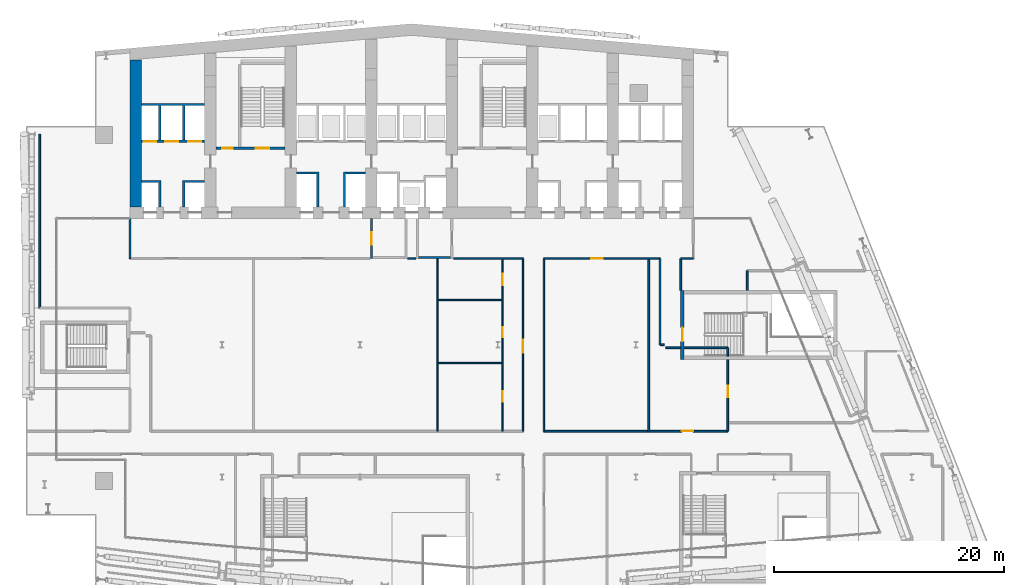
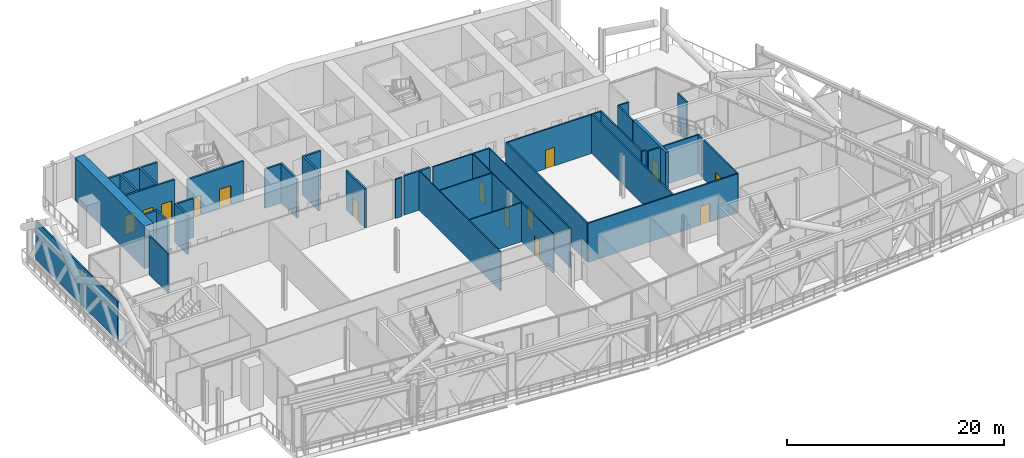
# One storey, part 19 of 42: 33 walls, 14 doors, 14 openings.
"""IFC4 building model written with IfcOpenShell, lengths in metres."""

from ifc_helpers import new_model, si_unit, direction, frame, frame_2d, origin, place, context, subcontext, project, spatial, polyline, rectangle, outline, extrude, material, layer, layer_set, type_object, element, fill, save


model = new_model("IFC4")

# Units and contexts
model_context = context("Model", 3, precision=1e-05, world=origin(), true_north=direction((0.0, 1.0)))
body_context = subcontext(model_context, "Body", "Model", "MODEL_VIEW")
ifc_project = project(units=[si_unit("LENGTHUNIT", "METRE"), si_unit("AREAUNIT", "SQUARE_METRE"), si_unit("VOLUMEUNIT", "CUBIC_METRE"), si_unit("PLANEANGLEUNIT", "RADIAN"), si_unit("MASSUNIT", "GRAM", prefix="KILO")], contexts=[model_context])

# Site, building, storey
site_placement = place(None, origin())
site = spatial("IfcSite", under=ifc_project, at=site_placement, CompositionType="ELEMENT")
building_placement = place(site_placement, origin())
building = spatial("IfcBuilding", under=site, at=building_placement, Name="Wharfspan Tower", CompositionType="ELEMENT")
storey_placement = place(building_placement, frame((0.0, 0.0, 147.100098)))
storey = spatial("IfcBuildingStorey", under=building, at=storey_placement, Name="L35", CompositionType="ELEMENT", Elevation=147.100098)

# Wall
ifc_material_1 = material(Name="Gypsum board on steel studs", Category="steel")
ifc_layer_1 = layer(ifc_material_1, 0.100098)
ifc_layer_set_1 = layer_set([ifc_layer_1], Name="Gypsum board on steel studs")
wall_type_1 = type_object("IfcWallType", Name="Compartment wall 100 EI 60", PredefinedType="PARTITIONING", material=ifc_layer_set_1)
wall_1_placement = place(storey_placement, frame((42.75, 15.48999, 0.0), z_axis=(0.0, 0.0, 1.0), x_axis=(0.0, 1.0, 0.0)))
element("IfcWall", 1, at=wall_1_placement, inside=storey, type_object=wall_type_1, Name="Partition L35.w034", PredefinedType="PARTITIONING", context=body_context, shape_type="SweptSolid", body=[
    extrude(rectangle(XDim=15.01001, YDim=0.100098, at=frame_2d((7.504883, 0.0))), origin(), (0.0, 0.0, 1.0), 4.399902),
])

# Wall, openings, doors
wall_2_placement = place(storey_placement, frame((48.399902, 15.5, 0.0), z_axis=(0.0, 0.0, 1.0), x_axis=(0.0, 1.0, 0.0)))
wall_2 = element("IfcWall", 2, at=wall_2_placement, inside=storey, type_object=wall_type_1, Name="Partition L35.w040", PredefinedType="PARTITIONING", context=body_context, shape_type="SweptSolid", body=[
    extrude(rectangle(XDim=14.98999, YDim=0.100098, at=frame_2d((7.495117, 0.0))), origin(), (0.0, 0.0, 1.0), 4.399902),
])
opening_1_placement = place(wall_2_placement, frame((2.551025, 0.0, 0.0)))
opening_1 = element("IfcOpeningElement", 3, at=opening_1_placement, cuts=wall_2, Name="Opening BB-12", PredefinedType="OPENING", context=body_context, shape_type="SweptSolid", body=[
    extrude(rectangle(XDim=0.899902, YDim=2.100098, at=frame_2d((0.449951, 1.050049))), frame((0.0, 0.060059, 0.0), z_axis=(0.0, -1.0, 0.0), x_axis=(1.0, 0.0, 0.0)), (0.0, 0.0, 1.0), 0.120117),
])
opening_2_placement = place(wall_2_placement, frame((8.149902, 0.0, 0.0)))
opening_2 = element("IfcOpeningElement", 4, at=opening_2_placement, cuts=wall_2, Name="Opening BB-15", PredefinedType="OPENING", context=body_context, shape_type="SweptSolid", body=[
    extrude(rectangle(XDim=0.899902, YDim=2.100098, at=frame_2d((0.449951, 1.050049))), frame((0.0, 0.060059, 0.0), z_axis=(0.0, -1.0, 0.0), x_axis=(1.0, 0.0, 0.0)), (0.0, 0.0, 1.0), 0.120117),
])
opening_3_placement = place(wall_2_placement, frame((12.699951, 0.0, 0.0)))
opening_3 = element("IfcOpeningElement", 5, at=opening_3_placement, cuts=wall_2, Name="Opening BB-16", PredefinedType="OPENING", context=body_context, shape_type="SweptSolid", body=[
    extrude(rectangle(XDim=1.0, YDim=2.100098, at=frame_2d((0.5, 1.050049))), frame((0.0, 0.060059, 0.0), z_axis=(0.0, -1.0, 0.0), x_axis=(1.0, 0.0, 0.0)), (0.0, 0.0, 1.0), 0.120117),
])
ifc_material_2 = material(Name="Timber door leaf in steel frame", Category="steel")
door_type_1 = type_object("IfcDoorType", Name="Door 1000 NOT RATED Right", OperationType="SINGLE_SWING_RIGHT", PredefinedType="DOOR", material=ifc_material_2)
door_1_placement = place(opening_3_placement, origin())
door_1 = element("IfcDoor", 6, at=door_1_placement, inside=storey, type_object=door_type_1, Name="Door BB-16", OperationType="SINGLE_SWING_RIGHT", OverallHeight=2.100098, OverallWidth=1.0, PredefinedType="DOOR", context=body_context, shape_type="SweptSolid", body=[
    extrude(rectangle(XDim=1.0, YDim=2.100098, at=frame_2d((0.5, 1.050049))), frame((0.0, 0.024902, 0.0), z_axis=(0.0, -1.0, 0.0), x_axis=(1.0, 0.0, 0.0)), (0.0, 0.0, 1.0), 0.050049),
])
fill(opening_3, door_1)
door_type_2 = type_object("IfcDoorType", Name="Door 900 NOT RATED Left", OperationType="SINGLE_SWING_LEFT", PredefinedType="DOOR", material=ifc_material_2)
door_2_placement = place(opening_1_placement, origin())
door_2 = element("IfcDoor", 7, at=door_2_placement, inside=storey, type_object=door_type_2, Name="Door BB-12", OperationType="SINGLE_SWING_LEFT", OverallHeight=2.100098, OverallWidth=0.899902, PredefinedType="DOOR", context=body_context, shape_type="SweptSolid", body=[
    extrude(rectangle(XDim=0.899902, YDim=2.100098, at=frame_2d((0.449951, 1.050049))), frame((0.0, 0.024902, 0.0), z_axis=(0.0, -1.0, 0.0), x_axis=(1.0, 0.0, 0.0)), (0.0, 0.0, 1.0), 0.050049),
])
fill(opening_1, door_2)
door_type_3 = type_object("IfcDoorType", Name="Door 900 NOT RATED Right", OperationType="SINGLE_SWING_RIGHT", PredefinedType="DOOR", material=ifc_material_2)
door_3_placement = place(opening_2_placement, origin())
door_3 = element("IfcDoor", 8, at=door_3_placement, inside=storey, type_object=door_type_3, Name="Door BB-15", OperationType="SINGLE_SWING_RIGHT", OverallHeight=2.100098, OverallWidth=0.899902, PredefinedType="DOOR", context=body_context, shape_type="SweptSolid", body=[
    extrude(rectangle(XDim=0.899902, YDim=2.100098, at=frame_2d((0.449951, 1.050049))), frame((0.0, 0.024902, 0.0), z_axis=(0.0, -1.0, 0.0), x_axis=(1.0, 0.0, 0.0)), (0.0, 0.0, 1.0), 0.050049),
])
fill(opening_2, door_3)

# Wall, opening, door
wall_3_placement = place(storey_placement, frame((50.189941, 15.5, 0.0), z_axis=(0.0, 0.0, 1.0), x_axis=(0.0, 1.0, 0.0)))
wall_3 = element("IfcWall", 9, at=wall_3_placement, inside=storey, type_object=wall_type_1, Name="Partition L35.w046", PredefinedType="PARTITIONING", context=body_context, shape_type="SweptSolid", body=[
    extrude(rectangle(XDim=14.98999, YDim=0.100098, at=frame_2d((7.495117, 0.0))), origin(), (0.0, 0.0, 1.0), 4.399902),
])
opening_4_placement = place(wall_3_placement, frame((6.830078, 0.0, 0.0)))
opening_4 = element("IfcOpeningElement", 10, at=opening_4_placement, cuts=wall_3, Name="Opening BB-14", PredefinedType="OPENING", context=body_context, shape_type="SweptSolid", body=[
    extrude(rectangle(XDim=1.100098, YDim=2.100098, at=frame_2d((0.550049, 1.050049))), frame((0.0, 0.060059, 0.0), z_axis=(0.0, -1.0, 0.0), x_axis=(1.0, 0.0, 0.0)), (0.0, 0.0, 1.0), 0.120117),
])
ifc_material_3 = material(Name="Fire-rated timber door leaf in steel frame", Category="steel")
door_type_4 = type_object("IfcDoorType", Name="Door 1100 FD30S Left", OperationType="SINGLE_SWING_LEFT", PredefinedType="DOOR", material=ifc_material_3)
door_4_placement = place(opening_4_placement, origin())
door_4 = element("IfcDoor", 11, at=door_4_placement, inside=storey, type_object=door_type_4, Name="Door BB-14", OperationType="SINGLE_SWING_LEFT", OverallHeight=2.100098, OverallWidth=1.100098, PredefinedType="DOOR", context=body_context, shape_type="SweptSolid", body=[
    extrude(rectangle(XDim=1.100098, YDim=2.100098, at=frame_2d((0.550049, 1.050049))), frame((0.0, 0.024902, 0.0), z_axis=(0.0, -1.0, 0.0), x_axis=(1.0, 0.0, 0.0)), (0.0, 0.0, 1.0), 0.050049),
])
fill(opening_4, door_4)

# Wall
ifc_material_4 = material(Name="Concrete C70/85", Category="concrete")
ifc_layer_2 = layer(ifc_material_4, 1.0)
ifc_layer_set_2 = layer_set([ifc_layer_2], Name="Concrete C70/85")
wall_type_2 = type_object("IfcWallType", Name="Core wall 1000 C70/85", PredefinedType="SHEAR", material=ifc_layer_set_2)
wall_4_placement = place(storey_placement, frame((16.5, 35.0, 0.0), z_axis=(0.0, 0.0, 1.0), x_axis=(0.0, 1.0, 0.0)))
element("IfcWall", 12, at=wall_4_placement, inside=storey, type_object=wall_type_2, Name="Core cross wall EW0 L35", PredefinedType="SHEAR", context=body_context, shape_type="SweptSolid", body=[
    extrude(rectangle(XDim=12.783691, YDim=1.0, at=frame_2d((6.391846, 0.0))), origin(), (0.0, 0.0, 1.0), 4.799805),
])

# Wall, openings, doors
ifc_material_5 = material(Name="Concrete C30/37", Category="concrete")
ifc_layer_3 = layer(ifc_material_5, 0.199951)
ifc_layer_set_3 = layer_set([ifc_layer_3], Name="Concrete C30/37")
wall_type_3 = type_object("IfcWallType", Name="Lift shaft wall 200", PredefinedType="PARTITIONING", material=ifc_layer_set_3)
wall_5_placement = place(storey_placement, frame((17.0, 40.699951, 0.0), z_axis=(0.0, 0.0, 1.0), x_axis=(1.0, 0.0, 0.0)))
wall_5 = element("IfcWall", 13, at=wall_5_placement, inside=storey, type_object=wall_type_3, Name="sw:L35:RF1", PredefinedType="PARTITIONING", context=body_context, shape_type="SweptSolid", body=[
    extrude(rectangle(XDim=5.5, YDim=0.199951, at=frame_2d((2.75, 0.0))), origin(), (0.0, 0.0, 1.0), 4.399902),
])
opening_5_placement = place(wall_5_placement, frame((0.199951, 0.0, 0.0)))
opening_5 = element("IfcOpeningElement", 14, at=opening_5_placement, cuts=wall_5, Name="Opening LD.LA3.L35", PredefinedType="OPENING", context=body_context, shape_type="SweptSolid", body=[
    extrude(rectangle(XDim=1.100098, YDim=2.100098, at=frame_2d((0.550049, 1.050049))), frame((0.0, 0.109863, 0.0), z_axis=(0.0, -1.0, 0.0), x_axis=(1.0, 0.0, 0.0)), (0.0, 0.0, 1.0), 0.219971),
])
opening_6_placement = place(wall_5_placement, frame((2.083252, 0.0, 0.0)))
opening_6 = element("IfcOpeningElement", 15, at=opening_6_placement, cuts=wall_5, Name="Opening LD.LA4.L35", PredefinedType="OPENING", context=body_context, shape_type="SweptSolid", body=[
    extrude(rectangle(XDim=1.100098, YDim=2.100098, at=frame_2d((0.550049, 1.050049))), frame((0.0, 0.109863, 0.0), z_axis=(0.0, -1.0, 0.0), x_axis=(1.0, 0.0, 0.0)), (0.0, 0.0, 1.0), 0.219971),
])
opening_7_placement = place(wall_5_placement, frame((4.083252, 0.0, 0.0)))
opening_7 = element("IfcOpeningElement", 16, at=opening_7_placement, cuts=wall_5, Name="Opening LD.LA5.L35", PredefinedType="OPENING", context=body_context, shape_type="SweptSolid", body=[
    extrude(rectangle(XDim=1.100098, YDim=2.100098, at=frame_2d((0.550049, 1.050049))), frame((0.0, 0.109863, 0.0), z_axis=(0.0, -1.0, 0.0), x_axis=(1.0, 0.0, 0.0)), (0.0, 0.0, 1.0), 0.219971),
])
ifc_material_6 = material(Name="Stainless steel", Category="steel")
door_type_5 = type_object("IfcDoorType", Name="Lift landing door 1100x2100", OperationType="DOUBLE_DOOR_SLIDING", PredefinedType="DOOR", material=ifc_material_6)
door_5_placement = place(opening_5_placement, origin())
door_5 = element("IfcDoor", 17, at=door_5_placement, inside=storey, type_object=door_type_5, Name="Landing door LA3 L35", OperationType="DOUBLE_DOOR_SLIDING", OverallHeight=2.100098, OverallWidth=1.100098, PredefinedType="DOOR", context=body_context, shape_type="SweptSolid", body=[
    extrude(rectangle(XDim=1.100098, YDim=2.100098, at=frame_2d((0.550049, 1.050049))), frame((0.0, 0.024902, 0.0), z_axis=(0.0, -1.0, 0.0), x_axis=(1.0, 0.0, 0.0)), (0.0, 0.0, 1.0), 0.050049),
])
fill(opening_5, door_5)
door_6_placement = place(opening_6_placement, origin())
door_6 = element("IfcDoor", 18, at=door_6_placement, inside=storey, type_object=door_type_5, Name="Landing door LA4 L35", OperationType="DOUBLE_DOOR_SLIDING", OverallHeight=2.100098, OverallWidth=1.100098, PredefinedType="DOOR", context=body_context, shape_type="SweptSolid", body=[
    extrude(rectangle(XDim=1.100098, YDim=2.100098, at=frame_2d((0.550049, 1.050049))), frame((0.0, 0.024902, 0.0), z_axis=(0.0, -1.0, 0.0), x_axis=(1.0, 0.0, 0.0)), (0.0, 0.0, 1.0), 0.050049),
])
fill(opening_6, door_6)
door_7_placement = place(opening_7_placement, origin())
door_7 = element("IfcDoor", 19, at=door_7_placement, inside=storey, type_object=door_type_5, Name="Landing door LA5 L35", OperationType="DOUBLE_DOOR_SLIDING", OverallHeight=2.100098, OverallWidth=1.100098, PredefinedType="DOOR", context=body_context, shape_type="SweptSolid", body=[
    extrude(rectangle(XDim=1.100098, YDim=2.100098, at=frame_2d((0.550049, 1.050049))), frame((0.0, 0.024902, 0.0), z_axis=(0.0, -1.0, 0.0), x_axis=(1.0, 0.0, 0.0)), (0.0, 0.0, 1.0), 0.050049),
])
fill(opening_7, door_7)

# Walls
wall_6_placement = place(storey_placement, frame((0.0, 0.0, -0.000244)))
element("IfcWall", 20, at=wall_6_placement, inside=storey, type_object=wall_type_3, Name="sw:L35:FM1.0", PredefinedType="PARTITIONING", context=body_context, shape_type="SweptSolid", body=[
    extrude(outline(polyline([(18.5, 37.100098), (17.0, 37.100098), (17.0, 37.300049), (18.5, 37.300049), (18.699951, 37.300049), (18.699951, 35.0), (18.5, 35.0), (18.5, 37.100098)])), origin(), (0.0, 0.0, 1.0), 4.400146),
])
wall_7_placement = place(storey_placement, frame((0.0, 0.0, -0.000244)))
element("IfcWall", 21, at=wall_7_placement, inside=storey, type_object=wall_type_3, Name="sw:L35:FM1.1", PredefinedType="PARTITIONING", context=body_context, shape_type="SweptSolid", body=[
    extrude(outline(polyline([(20.56665, 37.300049), (20.766602, 37.300049), (22.5, 37.300049), (22.5, 37.100098), (20.766602, 37.100098), (20.766602, 35.0), (20.56665, 35.0), (20.56665, 37.300049)])), origin(), (0.0, 0.0, 1.0), 4.400146),
])
wall_8_placement = place(storey_placement, frame((0.0, 0.0, -0.000244)))
element("IfcWall", 22, at=wall_8_placement, inside=storey, type_object=wall_type_3, Name="sw:L35:RM1.0", PredefinedType="PARTITIONING", context=body_context, shape_type="SweptSolid", body=[
    extrude(outline(polyline([(18.699951, 40.800049), (18.5, 40.800049), (18.5, 43.800049), (17.0, 43.800049), (17.0, 44.0), (22.5, 44.0), (22.5, 43.800049), (20.766602, 43.800049), (20.766602, 40.800049), (20.56665, 40.800049), (20.56665, 43.800049), (18.699951, 43.800049), (18.699951, 40.800049)])), origin(), (0.0, 0.0, 1.0), 4.400146),
])
wall_9_placement = place(storey_placement, frame((0.0, 0.0, -0.000244)))
element("IfcWall", 23, at=wall_9_placement, inside=storey, type_object=wall_type_3, Name="sw:L35:FM3.0", PredefinedType="PARTITIONING", context=body_context, shape_type="SweptSolid", body=[
    extrude(outline(polyline([(32.233398, 37.850098), (30.5, 37.850098), (30.5, 38.050049), (32.233398, 38.050049), (32.43335, 38.050049), (32.43335, 35.0), (32.233398, 35.0), (32.233398, 37.850098)])), origin(), (0.0, 0.0, 1.0), 4.400146),
])
wall_10_placement = place(storey_placement, frame((0.0, 0.0, -0.000244)))
element("IfcWall", 24, at=wall_10_placement, inside=storey, type_object=wall_type_3, Name="sw:L35:FM3.1", PredefinedType="PARTITIONING", context=body_context, shape_type="SweptSolid", body=[
    extrude(outline(polyline([(34.56665, 38.050049), (34.766602, 38.050049), (36.5, 38.050049), (36.5, 37.850098), (34.766602, 37.850098), (34.766602, 35.0), (34.56665, 35.0), (34.56665, 38.050049)])), origin(), (0.0, 0.0, 1.0), 4.400146),
])

# Wall, opening, door
ifc_layer_4 = layer(ifc_material_5, 0.199951)
ifc_layer_set_4 = layer_set([ifc_layer_4], Name="Concrete C30/37")
wall_type_4 = type_object("IfcWallType", Name="Lobby wall 200", PredefinedType="PARTITIONING", material=ifc_layer_set_4)
wall_11_placement = place(storey_placement, frame((37.0, 30.5, 0.0), z_axis=(0.0, 0.0, 1.0), x_axis=(0.0, 1.0, 0.0)))
wall_11 = element("IfcWall", 25, at=wall_11_placement, inside=storey, type_object=wall_type_4, Name="sw:L35:FLFF1W", PredefinedType="PARTITIONING", context=body_context, shape_type="SweptSolid", body=[
    extrude(rectangle(XDim=3.5, YDim=0.199951, at=frame_2d((1.75, 0.0))), origin(), (0.0, 0.0, 1.0), 4.399902),
])
opening_8_placement = place(wall_11_placement, frame((1.199951, 0.0, 0.0)))
opening_8 = element("IfcOpeningElement", 26, at=opening_8_placement, cuts=wall_11, Name="Opening FL.FF1.L35", PredefinedType="OPENING", context=body_context, shape_type="SweptSolid", body=[
    extrude(rectangle(XDim=1.100098, YDim=2.100098, at=frame_2d((0.550049, 1.050049))), frame((0.0, 0.109863, 0.0), z_axis=(0.0, -1.0, 0.0), x_axis=(1.0, 0.0, 0.0)), (0.0, 0.0, 1.0), 0.219971),
])
ifc_material_7 = material(Name="Steel door leaf", Category="steel")
door_type_6 = type_object("IfcDoorType", Name="Firefighting lobby door 1100x2100", OperationType="SINGLE_SWING_LEFT", PredefinedType="DOOR", material=ifc_material_7)
door_8_placement = place(opening_8_placement, origin())
door_8 = element("IfcDoor", 27, at=door_8_placement, inside=storey, type_object=door_type_6, Name="fd:L35:FF1", OperationType="SINGLE_SWING_LEFT", OverallHeight=2.100098, OverallWidth=1.100098, PredefinedType="DOOR", context=body_context, shape_type="SweptSolid", body=[
    extrude(rectangle(XDim=1.100098, YDim=2.100098, at=frame_2d((0.550049, 1.050049))), frame((0.0, 0.024902, 0.0), z_axis=(0.0, -1.0, 0.0), x_axis=(1.0, 0.0, 0.0)), (0.0, 0.0, 1.0), 0.050049),
])
fill(opening_8, door_8)

# Walls
wall_12_placement = place(storey_placement, frame((41.100098, 30.600098, 0.0), z_axis=(0.0, 0.0, 1.0), x_axis=(1.0, 0.0, 0.0)))
element("IfcWall", 28, at=wall_12_placement, inside=storey, type_object=wall_type_4, Name="sw:L35:FLFF2F", PredefinedType="PARTITIONING", context=body_context, shape_type="SweptSolid", body=[
    extrude(rectangle(XDim=2.799805, YDim=0.199951, at=frame_2d((1.399902, 0.0))), origin(), (0.0, 0.0, 1.0), 4.399902),
])
ifc_layer_5 = layer(ifc_material_1, 0.100098)
ifc_layer_set_5 = layer_set([ifc_layer_5], Name="Gypsum board on steel studs")
wall_type_5 = type_object("IfcWallType", Name="Partition 100", PredefinedType="PARTITIONING", material=ifc_layer_set_5)
for number, where, z_axis, x_axis, name in (
    (29, (42.75, 21.419922, 0.0), (0.0, 0.0, 1.0), (1.0, 0.0, 0.0), "Partition L35.w035"),
    (30, (42.75, 26.899902, 0.0), (0.0, 0.0, 1.0), (1.0, 0.0, 0.0), "Partition L35.w036"),
):
    element("IfcWall", number, at=place(storey_placement, frame(where, z_axis=z_axis, x_axis=x_axis)), inside=storey, type_object=wall_type_5, Name=name, PredefinedType="PARTITIONING", context=body_context, shape_type="SweptSolid", body=[
        extrude(rectangle(XDim=5.649902, YDim=0.100098, at=frame_2d((2.824951, 0.0))), origin(), (0.0, 0.0, 1.0), 4.399902),
    ])
ifc_layer_6 = layer(ifc_material_1, 0.149902)
ifc_layer_set_6 = layer_set([ifc_layer_6], Name="Gypsum board on steel studs")
wall_type_6 = type_object("IfcWallType", Name="Plant room wall 150 EI 120", PredefinedType="PARTITIONING", material=ifc_layer_set_6)
wall_13_placement = place(storey_placement, frame((8.149902, 26.199951, 0.0), z_axis=(0.0, 0.0, 1.0), x_axis=(0.0, 1.0, 0.0)))
element("IfcWall", 31, at=wall_13_placement, inside=storey, type_object=wall_type_6, Name="Partition L35.w004", PredefinedType="PARTITIONING", context=body_context, shape_type="SweptSolid", body=[
    extrude(rectangle(XDim=15.123047, YDim=0.149902, at=frame_2d((7.561523, 0.0))), origin(), (0.0, 0.0, 1.0), 4.399902),
])
wall_14_placement = place(storey_placement, frame((16.0, 30.5, 0.0), z_axis=(0.0, 0.0, 1.0), x_axis=(0.0, 1.0, 0.0)))
element("IfcWall", 32, at=wall_14_placement, inside=storey, type_object=wall_type_6, Name="Partition L35.w011", PredefinedType="PARTITIONING", context=body_context, shape_type="SweptSolid", body=[
    extrude(rectangle(XDim=3.47998, YDim=0.149902, at=frame_2d((1.73999, 0.0))), origin(), (0.0, 0.0, 1.0), 4.399902),
])
wall_15_placement = place(storey_placement, frame((52.0, 15.48999, 0.0), z_axis=(0.0, 0.0, 1.0), x_axis=(0.0, 1.0, 0.0)))
element("IfcWall", 33, at=wall_15_placement, inside=storey, type_object=wall_type_6, Name="Partition L35.w050", PredefinedType="PARTITIONING", context=body_context, shape_type="SweptSolid", body=[
    extrude(rectangle(XDim=15.01001, YDim=0.149902, at=frame_2d((7.504883, 0.0))), origin(), (0.0, 0.0, 1.0), 4.399902),
])

# Wall, opening, door
wall_16_placement = place(storey_placement, frame((52.0, 15.48999, 0.0), z_axis=(0.0, 0.0, 1.0), x_axis=(1.0, 0.0, 0.0)))
wall_16 = element("IfcWall", 34, at=wall_16_placement, inside=storey, type_object=wall_type_6, Name="Partition L35.w051", PredefinedType="PARTITIONING", context=body_context, shape_type="SweptSolid", body=[
    extrude(rectangle(XDim=16.0, YDim=0.149902, at=frame_2d((8.0, 0.0))), origin(), (0.0, 0.0, 1.0), 4.399902),
])
opening_9_placement = place(wall_16_placement, frame((11.980957, 0.0, 0.0)))
opening_9 = element("IfcOpeningElement", 35, at=opening_9_placement, cuts=wall_16, Name="Opening BB-10", PredefinedType="OPENING", context=body_context, shape_type="SweptSolid", body=[
    extrude(rectangle(XDim=1.0, YDim=2.100098, at=frame_2d((0.5, 1.050049))), frame((0.0, 0.084961, 0.0), z_axis=(0.0, -1.0, 0.0), x_axis=(1.0, 0.0, 0.0)), (0.0, 0.0, 1.0), 0.169922),
])
door_type_7 = type_object("IfcDoorType", Name="Door 1000 FD60 Right", OperationType="SINGLE_SWING_RIGHT", PredefinedType="DOOR", material=ifc_material_3)
door_9_placement = place(opening_9_placement, origin())
door_9 = element("IfcDoor", 36, at=door_9_placement, inside=storey, type_object=door_type_7, Name="Door BB-10", OperationType="SINGLE_SWING_RIGHT", OverallHeight=2.100098, OverallWidth=1.0, PredefinedType="DOOR", context=body_context, shape_type="SweptSolid", body=[
    extrude(rectangle(XDim=1.0, YDim=2.100098, at=frame_2d((0.5, 1.050049))), frame((0.0, 0.024902, 0.0), z_axis=(0.0, -1.0, 0.0), x_axis=(1.0, 0.0, 0.0)), (0.0, 0.0, 1.0), 0.050049),
])
fill(opening_9, door_9)

wall_17_placement = place(storey_placement, frame((52.0, 30.5, 0.0), z_axis=(0.0, 0.0, 1.0), x_axis=(1.0, 0.0, 0.0)))
wall_17 = element("IfcWall", 37, at=wall_17_placement, inside=storey, type_object=wall_type_6, Name="Partition L35.w052", PredefinedType="PARTITIONING", context=body_context, shape_type="SweptSolid", body=[
    extrude(rectangle(XDim=10.10498, YDim=0.149902, at=frame_2d((5.05249, 0.0))), origin(), (0.0, 0.0, 1.0), 4.399902),
])
opening_10_placement = place(wall_17_placement, frame((4.100098, 0.0, 0.0)))
opening_10 = element("IfcOpeningElement", 38, at=opening_10_placement, cuts=wall_17, Name="Opening BB-19", PredefinedType="OPENING", context=body_context, shape_type="SweptSolid", body=[
    extrude(rectangle(XDim=1.0, YDim=2.100098, at=frame_2d((0.5, 1.050049))), frame((0.0, 0.084961, 0.0), z_axis=(0.0, -1.0, 0.0), x_axis=(1.0, 0.0, 0.0)), (0.0, 0.0, 1.0), 0.169922),
])
door_type_8 = type_object("IfcDoorType", Name="Door 1000 FD60 Left", OperationType="SINGLE_SWING_LEFT", PredefinedType="DOOR", material=ifc_material_3)
door_10_placement = place(opening_10_placement, origin())
door_10 = element("IfcDoor", 39, at=door_10_placement, inside=storey, type_object=door_type_8, Name="Door BB-19", OperationType="SINGLE_SWING_LEFT", OverallHeight=2.100098, OverallWidth=1.0, PredefinedType="DOOR", context=body_context, shape_type="SweptSolid", body=[
    extrude(rectangle(XDim=1.0, YDim=2.100098, at=frame_2d((0.5, 1.050049))), frame((0.0, 0.024902, 0.0), z_axis=(0.0, -1.0, 0.0), x_axis=(1.0, 0.0, 0.0)), (0.0, 0.0, 1.0), 0.050049),
])
fill(opening_10, door_10)

# Walls
wall_18_placement = place(storey_placement, frame((61.125, 15.48999, 0.0), z_axis=(0.0, 0.0, 1.0), x_axis=(0.0, 1.0, 0.0)))
element("IfcWall", 40, at=wall_18_placement, inside=storey, type_object=wall_type_6, Name="Partition L35.w061", PredefinedType="PARTITIONING", context=body_context, shape_type="SweptSolid", body=[
    extrude(rectangle(XDim=15.01001, YDim=0.149902, at=frame_2d((7.504883, 0.0))), origin(), (0.0, 0.0, 1.0), 4.399902),
])
wall_19_placement = place(storey_placement, frame((62.10498, 23.0, 0.0), z_axis=(0.0, 0.0, 1.0), x_axis=(0.0, 1.0, 0.0)))
element("IfcWall", 41, at=wall_19_placement, inside=storey, type_object=wall_type_6, Name="Partition L35.w062", PredefinedType="PARTITIONING", context=body_context, shape_type="SweptSolid", body=[
    extrude(rectangle(XDim=7.5, YDim=0.149902, at=frame_2d((3.75, 0.0))), origin(), (0.0, 0.0, 1.0), 4.399902),
])
wall_20_placement = place(storey_placement, frame((62.10498, 23.0, 0.0), z_axis=(0.0, 0.0, 1.0), x_axis=(1.0, 0.0, 0.0)))
element("IfcWall", 42, at=wall_20_placement, inside=storey, type_object=wall_type_6, Name="Partition L35.w063", PredefinedType="PARTITIONING", context=body_context, shape_type="SweptSolid", body=[
    extrude(rectangle(XDim=0.380127, YDim=0.149902, at=frame_2d((0.189941, 0.0))), origin(), (0.0, 0.0, 1.0), 4.399902),
])
wall_21_placement = place(storey_placement, frame((62.60498, 22.75, 0.0), z_axis=(0.0, 0.0, 1.0), x_axis=(1.0, 0.0, 0.0)))
element("IfcWall", 43, at=wall_21_placement, inside=storey, type_object=wall_type_6, Name="Partition L35.w064", PredefinedType="PARTITIONING", context=body_context, shape_type="SweptSolid", body=[
    extrude(rectangle(XDim=1.299561, YDim=0.149902, at=frame_2d((0.649902, 0.0))), origin(), (0.0, 0.0, 1.0), 4.399902),
])
wall_22_placement = place(storey_placement, frame((63.905029, 27.745117, 0.0), z_axis=(0.0, 0.0, 1.0), x_axis=(0.0, 1.0, 0.0)))
element("IfcWall", 44, at=wall_22_placement, inside=storey, type_object=wall_type_6, Name="Partition L35.w067", PredefinedType="PARTITIONING", context=body_context, shape_type="SweptSolid", body=[
    extrude(rectangle(XDim=2.754883, YDim=0.149902, at=frame_2d((1.377441, 0.0))), origin(), (0.0, 0.0, 1.0), 4.399902),
])
wall_23_placement = place(storey_placement, frame((63.905029, 30.5, 0.0), z_axis=(0.0, 0.0, 1.0), x_axis=(1.0, 0.0, 0.0)))
element("IfcWall", 45, at=wall_23_placement, inside=storey, type_object=wall_type_6, Name="Partition L35.w068", PredefinedType="PARTITIONING", context=body_context, shape_type="SweptSolid", body=[
    extrude(rectangle(XDim=1.094971, YDim=0.149902, at=frame_2d((0.547363, 0.0))), origin(), (0.0, 0.0, 1.0), 4.399902),
])

# Wall, opening, door
wall_24_placement = place(storey_placement, frame((68.0, 15.48999, 0.0), z_axis=(0.0, 0.0, 1.0), x_axis=(0.0, 1.0, 0.0)))
wall_24 = element("IfcWall", 46, at=wall_24_placement, inside=storey, type_object=wall_type_6, Name="Partition L35.w077", PredefinedType="PARTITIONING", context=body_context, shape_type="SweptSolid", body=[
    extrude(rectangle(XDim=6.235107, YDim=0.149902, at=frame_2d((3.117676, 0.0))), origin(), (0.0, 0.0, 1.0), 4.399902),
])
opening_11_placement = place(wall_24_placement, frame((2.959961, 0.0, 0.0)))
opening_11 = element("IfcOpeningElement", 47, at=opening_11_placement, cuts=wall_24, Name="Opening BB-13", PredefinedType="OPENING", context=body_context, shape_type="SweptSolid", body=[
    extrude(rectangle(XDim=1.0, YDim=2.100098, at=frame_2d((0.5, 1.050049))), frame((0.0, 0.084961, 0.0), z_axis=(0.0, -1.0, 0.0), x_axis=(1.0, 0.0, 0.0)), (0.0, 0.0, 1.0), 0.169922),
])
door_11_placement = place(opening_11_placement, origin())
door_11 = element("IfcDoor", 48, at=door_11_placement, inside=storey, type_object=door_type_8, Name="Door BB-13", OperationType="SINGLE_SWING_LEFT", OverallHeight=2.100098, OverallWidth=1.0, PredefinedType="DOOR", context=body_context, shape_type="SweptSolid", body=[
    extrude(rectangle(XDim=1.0, YDim=2.100098, at=frame_2d((0.5, 1.050049))), frame((0.0, 0.024902, 0.0), z_axis=(0.0, -1.0, 0.0), x_axis=(1.0, 0.0, 0.0)), (0.0, 0.0, 1.0), 0.050049),
])
fill(opening_11, door_11)

# Walls
wall_25_placement = place(storey_placement, frame((69.689941, 27.745117, 0.0), z_axis=(0.0, 0.0, 1.0), x_axis=(0.0, 1.0, 0.0)))
element("IfcWall", 49, at=wall_25_placement, inside=storey, type_object=wall_type_6, Name="Partition L35.w079", PredefinedType="PARTITIONING", context=body_context, shape_type="SweptSolid", body=[
    extrude(rectangle(XDim=1.704834, YDim=0.149902, at=frame_2d((0.852539, 0.0))), origin(), (0.0, 0.0, 1.0), 4.399902),
])
wall_26_placement = place(storey_placement, frame((40.149902, 30.5, 0.0), z_axis=(0.0, 0.0, 1.0), x_axis=(1.0, 0.0, 0.0)))
element("IfcWall", 50, at=wall_26_placement, inside=storey, type_object=wall_type_6, Name="Partition L35.w012 (2)", PredefinedType="PARTITIONING", context=body_context, shape_type="SweptSolid", body=[
    extrude(rectangle(XDim=0.700195, YDim=0.149902, at=frame_2d((0.350098, 0.0))), origin(), (0.0, 0.0, 1.0), 4.399902),
])
wall_27_placement = place(storey_placement, frame((44.149902, 30.5, 0.0), z_axis=(0.0, 0.0, 1.0), x_axis=(1.0, 0.0, 0.0)))
element("IfcWall", 51, at=wall_27_placement, inside=storey, type_object=wall_type_6, Name="Partition L35.w012 (3)", PredefinedType="PARTITIONING", context=body_context, shape_type="SweptSolid", body=[
    extrude(rectangle(XDim=6.040039, YDim=0.149902, at=frame_2d((3.02002, 0.0))), origin(), (0.0, 0.0, 1.0), 4.399902),
])
wall_28_placement = place(storey_placement, frame((64.20459, 22.75, 0.0), z_axis=(0.0, 0.0, 1.0), x_axis=(1.0, 0.0, 0.0)))
element("IfcWall", 52, at=wall_28_placement, inside=storey, type_object=wall_type_6, Name="Partition L35.w064 (2)", PredefinedType="PARTITIONING", context=body_context, shape_type="SweptSolid", body=[
    extrude(rectangle(XDim=3.79541, YDim=0.149902, at=frame_2d((1.897705, 0.0))), origin(), (0.0, 0.0, 1.0), 4.399902),
])
wall_29_placement = place(storey_placement, frame((68.0, 22.024902, 0.0), z_axis=(0.0, 0.0, 1.0), x_axis=(0.0, 1.0, 0.0)))
element("IfcWall", 53, at=wall_29_placement, inside=storey, type_object=wall_type_6, Name="Partition L35.w077 (2)", PredefinedType="PARTITIONING", context=body_context, shape_type="SweptSolid", body=[
    extrude(rectangle(XDim=0.725098, YDim=0.149902, at=frame_2d((0.362549, 0.0))), origin(), (0.0, 0.0, 1.0), 4.399902),
])

# Wall, opening, door
ifc_material_8 = material(Name="Concrete C40/50", Category="concrete")
ifc_layer_7 = layer(ifc_material_8, 0.300049)
ifc_layer_set_7 = layer_set([ifc_layer_7], Name="Concrete C40/50")
wall_type_7 = type_object("IfcWallType", Name="Stair core wall 300", PredefinedType="SHEAR", material=ifc_layer_set_7)
wall_30_placement = place(storey_placement, frame((64.054688, 21.725098, 0.0), z_axis=(0.0, 0.0, 1.0), x_axis=(0.0, 1.0, 0.0)))
wall_30 = element("IfcWall", 54, at=wall_30_placement, inside=storey, type_object=wall_type_7, Name="ST6 stair enclosure wall L35", PredefinedType="SHEAR", context=body_context, shape_type="SweptSolid", body=[
    extrude(rectangle(XDim=6.0, YDim=0.300049, at=frame_2d((3.0, 0.0))), origin(), (0.0, 0.0, 1.0), 4.399902),
])
opening_12_placement = place(wall_30_placement, frame((1.574951, 0.0, 0.0)))
opening_12 = element("IfcOpeningElement", 55, at=opening_12_placement, cuts=wall_30, Name="Opening SD6.L35", PredefinedType="OPENING", context=body_context, shape_type="SweptSolid", body=[
    extrude(rectangle(XDim=1.199951, YDim=2.100098, at=frame_2d((0.600098, 1.050049))), frame((0.0, 0.159912, 0.0), z_axis=(0.0, -1.0, 0.0), x_axis=(1.0, 0.0, 0.0)), (0.0, 0.0, 1.0), 0.320068),
])
door_type_9 = type_object("IfcDoorType", Name="Stair door 1200x2100", OperationType="SINGLE_SWING_LEFT", PredefinedType="DOOR", material=ifc_material_7)
door_12_placement = place(opening_12_placement, origin())
door_12 = element("IfcDoor", 56, at=door_12_placement, inside=storey, type_object=door_type_9, Name="sd:L35:ST6z3", OperationType="SINGLE_SWING_RIGHT", OverallHeight=2.100098, OverallWidth=1.199951, PredefinedType="DOOR", context=body_context, shape_type="SweptSolid", body=[
    extrude(rectangle(XDim=1.199951, YDim=2.100098, at=frame_2d((0.600098, 1.050049))), frame((0.0, 0.024902, 0.0), z_axis=(0.0, -1.0, 0.0), x_axis=(1.0, 0.0, 0.0)), (0.0, 0.0, 1.0), 0.050049),
])
fill(opening_12, door_12)

# Wall, openings, doors
ifc_layer_8 = layer(ifc_material_8, 0.199951)
ifc_layer_set_8 = layer_set([ifc_layer_8], Name="Concrete C40/50")
wall_type_8 = type_object("IfcWallType", Name="Stair shaft wall 200", PredefinedType="SHEAR", material=ifc_layer_set_8)
wall_31_placement = place(storey_placement, frame((23.5, 40.100098, 0.0), z_axis=(0.0, 0.0, 1.0), x_axis=(1.0, 0.0, 0.0)))
wall_31 = element("IfcWall", 57, at=wall_31_placement, inside=storey, type_object=wall_type_8, Name="ST1 stair enclosure wall L35", PredefinedType="SHEAR", context=body_context, shape_type="SweptSolid", body=[
    extrude(rectangle(XDim=6.0, YDim=0.199951, at=frame_2d((3.0, 0.0))), origin(), (0.0, 0.0, 1.0), 4.399902),
])
opening_13_placement = place(wall_31_placement, frame((3.425049, 0.0, 0.0)))
opening_13 = element("IfcOpeningElement", 58, at=opening_13_placement, cuts=wall_31, Name="Opening SD2.L35", PredefinedType="OPENING", context=body_context, shape_type="SweptSolid", body=[
    extrude(rectangle(XDim=1.199951, YDim=2.100098, at=frame_2d((0.600098, 1.050049))), frame((0.0, 0.109863, 0.0), z_axis=(0.0, -1.0, 0.0), x_axis=(1.0, 0.0, 0.0)), (0.0, 0.0, 1.0), 0.219971),
])
opening_14_placement = place(wall_31_placement, frame((0.524902, 0.0, 0.0)))
opening_14 = element("IfcOpeningElement", 59, at=opening_14_placement, cuts=wall_31, Name="Opening CD35.2R", PredefinedType="OPENING", context=body_context, shape_type="SweptSolid", body=[
    extrude(rectangle(XDim=0.899902, YDim=2.100098, at=frame_2d((0.449951, 1.050049))), frame((0.0, 0.109863, 0.0), z_axis=(0.0, -1.0, 0.0), x_axis=(1.0, 0.0, 0.0)), (0.0, 0.0, 1.0), 0.219971),
])
door_type_10 = type_object("IfcDoorType", Name="Core room door 1000x2100", OperationType="SINGLE_SWING_LEFT", PredefinedType="DOOR", material=ifc_material_7)
door_13_placement = place(opening_14_placement, origin())
door_13 = element("IfcDoor", 60, at=door_13_placement, inside=storey, type_object=door_type_10, Name="rk:L35:2", OperationType="SINGLE_SWING_LEFT", OverallHeight=2.100098, OverallWidth=0.899902, PredefinedType="DOOR", context=body_context, shape_type="SweptSolid", body=[
    extrude(rectangle(XDim=0.899902, YDim=2.100098, at=frame_2d((0.449951, 1.050049))), frame((0.0, 0.024902, 0.0), z_axis=(0.0, -1.0, 0.0), x_axis=(1.0, 0.0, 0.0)), (0.0, 0.0, 1.0), 0.050049),
])
fill(opening_14, door_13)
door_14_placement = place(opening_13_placement, origin())
door_14 = element("IfcDoor", 61, at=door_14_placement, inside=storey, type_object=door_type_9, Name="sd:L35:2", OperationType="SINGLE_SWING_RIGHT", OverallHeight=2.100098, OverallWidth=1.199951, PredefinedType="DOOR", context=body_context, shape_type="SweptSolid", body=[
    extrude(rectangle(XDim=1.199951, YDim=2.100098, at=frame_2d((0.600098, 1.050049))), frame((0.0, 0.024902, 0.0), z_axis=(0.0, -1.0, 0.0), x_axis=(1.0, 0.0, 0.0)), (0.0, 0.0, 1.0), 0.050049),
])
fill(opening_13, door_14)

save(model, "model.ifc")
